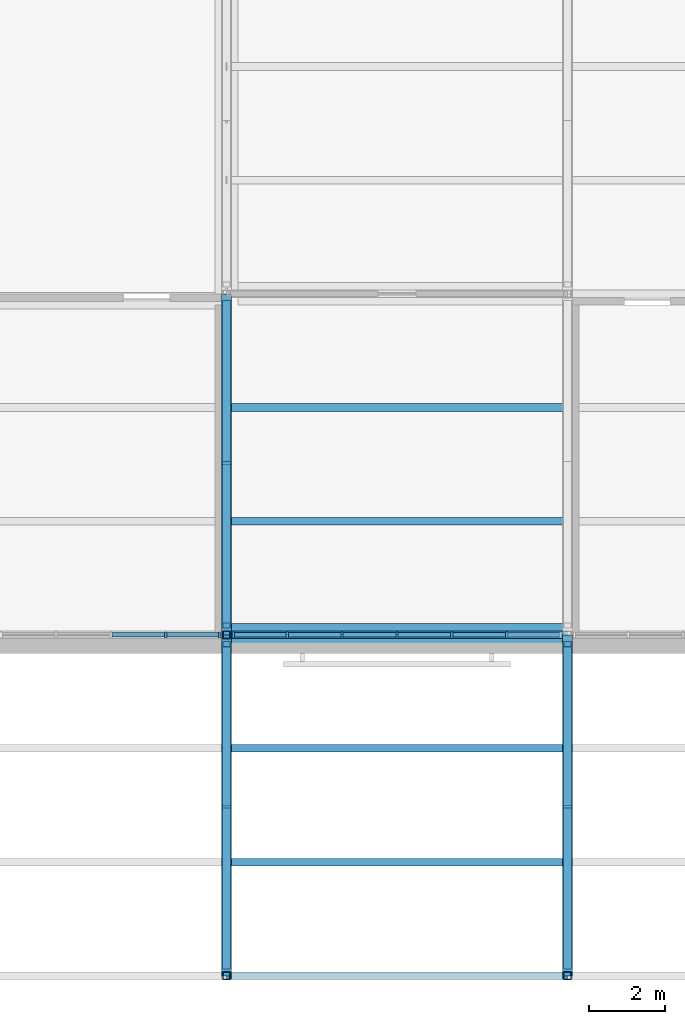
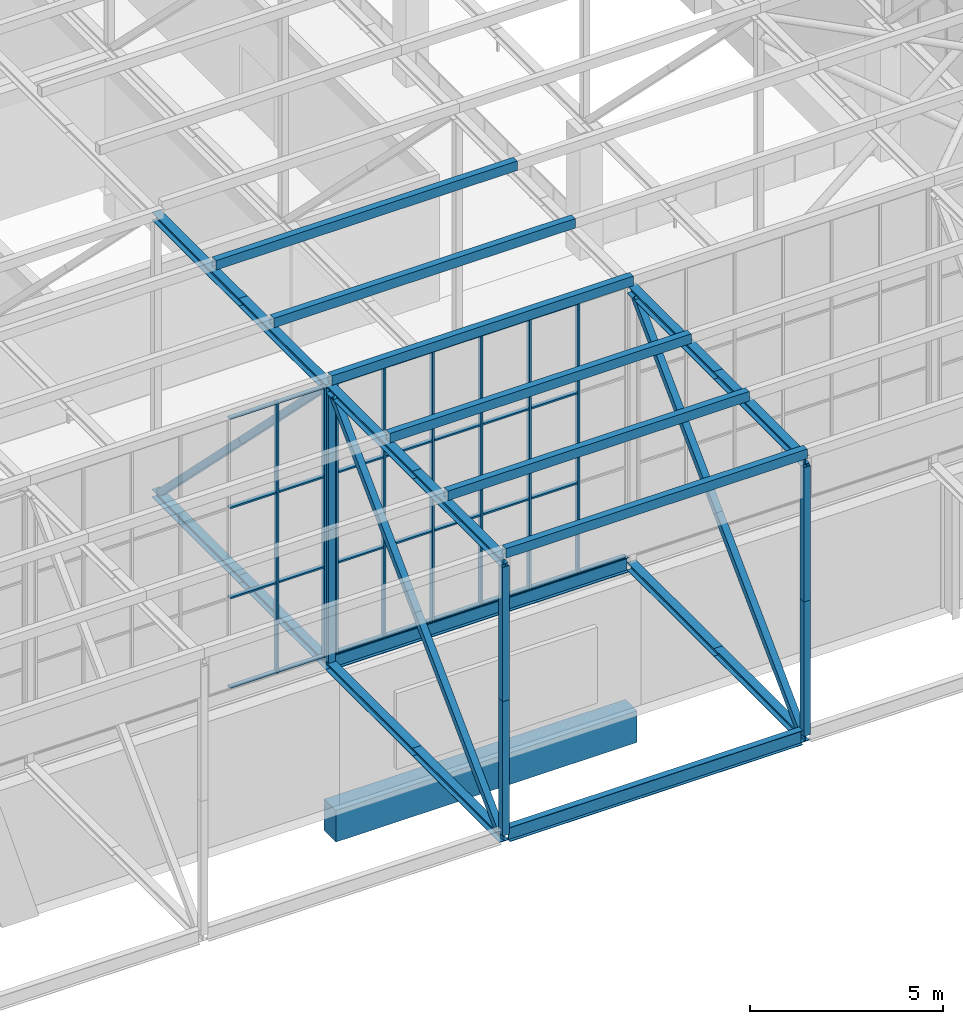
# One storey, part 82 of 646: 67 members, 3 beams, 2 elements without a shape of their own.
"""IFC4 building model written with IfcOpenShell, lengths in metres."""

from ifc_helpers import new_model, si_unit, direction, frame, origin, origin_2d, place, context, subcontext, project, spatial, rectangle, hollow_rectangle, i_section, extrude, material, material_profile, profile_set, type_object, element, aggregate, save


model = new_model("IFC4")

# Units and contexts
model_context = context("Model", 3, precision=1e-05, world=origin(), true_north=direction((0.0, 1.0)))
body_context = subcontext(model_context, "Body", "Model", "MODEL_VIEW")
ifc_project = project(units=[si_unit("LENGTHUNIT", "METRE"), si_unit("AREAUNIT", "SQUARE_METRE"), si_unit("VOLUMEUNIT", "CUBIC_METRE"), si_unit("PLANEANGLEUNIT", "RADIAN"), si_unit("MASSUNIT", "GRAM", prefix="KILO")], contexts=[model_context])

# Site, building, storey
site_placement = place(None, origin())
site = spatial("IfcSite", under=ifc_project, at=site_placement, CompositionType="ELEMENT")
building_placement = place(site_placement, origin())
building = spatial("IfcBuilding", under=site, at=building_placement, Name="Silverbay Arena", CompositionType="ELEMENT")
storey_placement = place(building_placement, frame((0.0, 0.0, 33.5)))
storey = spatial("IfcBuildingStorey", under=building, at=storey_placement, Name="L05", CompositionType="ELEMENT", Elevation=33.5)

# Members
ifc_material_1 = material(Name="Steel S355", Category="steel")
ifc_material_profile_1 = material_profile(ifc_material_1, i_section(OverallWidth=0.254638671875, OverallDepth=0.254150390625, WebThickness=0.008544921875, FlangeThickness=0.01416015625, at=origin_2d()), Name="UC 254x254x73")
ifc_profile_set_1 = profile_set([ifc_material_profile_1], Name="Steel S355")
member_type_1 = type_object("IfcMemberType", Name="Long-span bottom chord UC 254x254x73", PredefinedType="CHORD", material=ifc_profile_set_1)
for number, where, z_axis, x_axis, name in (
    (1, (180.0, 9.0, 4.126953125), (0.0, 1.0, 0.0), (-1.0, 0.0, 0.0), "ROOF TRUSS 21 bottom chord 01a"),
    (2, (180.0, 13.5, 4.126953125), (0.0, 1.0, 0.0), (-1.0, 0.0, 0.0), "ROOF TRUSS 21 bottom chord 01b"),
    (3, (180.0, 18.0, 4.126953125), (0.0, 1.0, 0.0), (-1.0, 0.0, 0.0), "ROOF TRUSS 21 bottom chord 02a"),
    (4, (180.0, 22.5, 4.126953125), (0.0, 1.0, 0.0), (-1.0, 0.0, 0.0), "ROOF TRUSS 21 bottom chord 02b"),
):
    element("IfcMember", number, at=place(storey_placement, frame(where, z_axis=z_axis, x_axis=x_axis)), inside=storey, type_object=member_type_1, Name=name, PredefinedType="CHORD", context=body_context, shape_type="SweptSolid", body=[
        extrude(i_section(OverallWidth=0.254638671875, OverallDepth=0.254150390625, WebThickness=0.008544921875, FlangeThickness=0.01416015625, at=origin_2d()), origin(), (0.0, 0.0, 1.0), 4.5),
    ])
ifc_material_2 = material(Name="Steel S355", Category="steel")
ifc_material_profile_2 = material_profile(ifc_material_2, i_section(OverallWidth=0.254638671875, OverallDepth=0.254150390625, WebThickness=0.008544921875, FlangeThickness=0.01416015625, at=origin_2d()), Name="UC 254x254x73")
ifc_profile_set_2 = profile_set([ifc_material_profile_2], Name="Steel S355")
member_type_2 = type_object("IfcMemberType", Name="Long-span top chord UC 254x254x73", PredefinedType="CHORD", material=ifc_profile_set_2)
for number, where, z_axis, x_axis, name in (
    (5, (180.0, 9.0, 12.873046875), (0.0, 1.0, 0.0), (-1.0, 0.0, 0.0), "ROOF TRUSS 21 top chord 01a"),
    (6, (180.0, 13.5, 12.873046875), (0.0, 1.0, 0.0), (-1.0, 0.0, 0.0), "ROOF TRUSS 21 top chord 01b"),
    (7, (180.0, 18.0, 12.873046875), (0.0, 1.0, 0.0), (-1.0, 0.0, 0.0), "ROOF TRUSS 21 top chord 02a"),
    (8, (180.0, 22.5, 12.873046875), (0.0, 1.0, 0.0), (-1.0, 0.0, 0.0), "ROOF TRUSS 21 top chord 02b"),
):
    element("IfcMember", number, at=place(storey_placement, frame(where, z_axis=z_axis, x_axis=x_axis)), inside=storey, type_object=member_type_2, Name=name, PredefinedType="CHORD", context=body_context, shape_type="SweptSolid", body=[
        extrude(i_section(OverallWidth=0.254638671875, OverallDepth=0.254150390625, WebThickness=0.008544921875, FlangeThickness=0.01416015625, at=origin_2d()), origin(), (0.0, 0.0, 1.0), 4.5),
    ])
ifc_material_3 = material(Name="Steel S355", Category="steel")
ifc_material_profile_3 = material_profile(ifc_material_3, hollow_rectangle(XDim=0.199951171875, YDim=0.199951171875, WallThickness=0.008056640625, at=origin_2d()), Name="SHS 200x200x8")
ifc_profile_set_3 = profile_set([ifc_material_profile_3], Name="Steel S355")
member_type_3 = type_object("IfcMemberType", Name="Long-span truss diagonal SHS 200x200x8", PredefinedType="BRACE", material=ifc_profile_set_3)
for number, where, z_axis, x_axis, name in (
    (9, (180.0, 17.75439453125, 12.745849609375), (0.0, -0.70781724692, -0.706395600894), (1.0, 0.0, 0.0), "ROOF TRUSS 21 diagonal 01a"),
    (10, (180.0, 13.5, 8.5), (0.0, -0.70781724692, -0.706395600894), (1.0, 0.0, 0.0), "ROOF TRUSS 21 diagonal 01b"),
    (11, (180.0, 18.24560546875, 12.745849609375), (0.0, 0.70781724692, -0.706395600894), (-1.0, 0.0, 0.0), "ROOF TRUSS 21 diagonal 02a"),
    (12, (180.0, 22.5, 8.5), (0.0, 0.70781724692, -0.706395600894), (-1.0, 0.0, 0.0), "ROOF TRUSS 21 diagonal 02b"),
):
    element("IfcMember", number, at=place(storey_placement, frame(where, z_axis=z_axis, x_axis=x_axis)), inside=storey, type_object=member_type_3, Name=name, PredefinedType="BRACE", context=body_context, shape_type="SweptSolid", body=[
        extrude(hollow_rectangle(XDim=0.199951171875, YDim=0.199951171875, WallThickness=0.008056640625, at=origin_2d()), origin(), (0.0, 0.0, 1.0), 6.010498046875),
    ])
ifc_material_4 = material(Name="Steel S355", Category="steel")
ifc_material_profile_4 = material_profile(ifc_material_4, hollow_rectangle(XDim=0.199951171875, YDim=0.199951171875, WallThickness=0.008056640625, at=origin_2d()), Name="SHS 200x200x8")
ifc_profile_set_4 = profile_set([ifc_material_profile_4], Name="Steel S355")
member_type_4 = type_object("IfcMemberType", Name="Long-span truss vertical SHS 200x200x8", PredefinedType="STRUT", material=ifc_profile_set_4)
for number, where, z_axis, x_axis, name in (
    (13, (180.0, 9.0, 4.254150390625), (0.0, 0.0, 1.0), (1.0, 0.0, 0.0), "ROOF TRUSS 21 vertical 01a"),
    (14, (180.0, 9.0, 8.5), (0.0, 0.0, 1.0), (1.0, 0.0, 0.0), "ROOF TRUSS 21 vertical 01b"),
    (15, (180.0, 18.0, 4.254150390625), (0.0, 0.0, 1.0), (1.0, 0.0, 0.0), "ROOF TRUSS 21 vertical 02a"),
    (16, (180.0, 18.0, 8.5), (0.0, 0.0, 1.0), (1.0, 0.0, 0.0), "ROOF TRUSS 21 vertical 02b"),
):
    element("IfcMember", number, at=place(storey_placement, frame(where, z_axis=z_axis, x_axis=x_axis)), inside=storey, type_object=member_type_4, Name=name, PredefinedType="STRUT", context=body_context, shape_type="SweptSolid", body=[
        extrude(hollow_rectangle(XDim=0.199951171875, YDim=0.199951171875, WallThickness=0.008056640625, at=origin_2d()), origin(), (0.0, 0.0, 1.0), 4.245849609375),
    ])
ifc_material_5 = material(Name="Steel S355", Category="steel")
ifc_material_profile_5 = material_profile(ifc_material_5, i_section(OverallWidth=0.254638671875, OverallDepth=0.254150390625, WebThickness=0.008544921875, FlangeThickness=0.01416015625, at=origin_2d()), Name="UC 254x254x73")
ifc_profile_set_5 = profile_set([ifc_material_profile_5], Name="Steel S355")
member_type_5 = type_object("IfcMemberType", Name="Medium-span bottom chord UC 254x254x73", PredefinedType="CHORD", material=ifc_profile_set_5)
for number, where, z_axis, x_axis, name in (
    (17, (189.0, 9.0, 4.126953125), (0.0, 1.0, 0.0), (-1.0, 0.0, 0.0), "ROOF TRUSS 22 bottom chord 01a"),
    (18, (189.0, 13.5, 4.126953125), (0.0, 1.0, 0.0), (-1.0, 0.0, 0.0), "ROOF TRUSS 22 bottom chord 01b"),
):
    element("IfcMember", number, at=place(storey_placement, frame(where, z_axis=z_axis, x_axis=x_axis)), inside=storey, type_object=member_type_5, Name=name, PredefinedType="CHORD", context=body_context, shape_type="SweptSolid", body=[
        extrude(i_section(OverallWidth=0.254638671875, OverallDepth=0.254150390625, WebThickness=0.008544921875, FlangeThickness=0.01416015625, at=origin_2d()), origin(), (0.0, 0.0, 1.0), 4.5),
    ])
ifc_material_6 = material(Name="Steel S355", Category="steel")
ifc_material_profile_6 = material_profile(ifc_material_6, i_section(OverallWidth=0.254638671875, OverallDepth=0.254150390625, WebThickness=0.008544921875, FlangeThickness=0.01416015625, at=origin_2d()), Name="UC 254x254x73")
ifc_profile_set_6 = profile_set([ifc_material_profile_6], Name="Steel S355")
member_type_6 = type_object("IfcMemberType", Name="Medium-span top chord UC 254x254x73", PredefinedType="CHORD", material=ifc_profile_set_6)
for number, where, z_axis, x_axis, name in (
    (19, (189.0, 9.0, 12.873046875), (0.0, 1.0, 0.0), (-1.0, 0.0, 0.0), "ROOF TRUSS 22 top chord 01a"),
    (20, (189.0, 13.5, 12.873046875), (0.0, 1.0, 0.0), (-1.0, 0.0, 0.0), "ROOF TRUSS 22 top chord 01b"),
):
    element("IfcMember", number, at=place(storey_placement, frame(where, z_axis=z_axis, x_axis=x_axis)), inside=storey, type_object=member_type_6, Name=name, PredefinedType="CHORD", context=body_context, shape_type="SweptSolid", body=[
        extrude(i_section(OverallWidth=0.254638671875, OverallDepth=0.254150390625, WebThickness=0.008544921875, FlangeThickness=0.01416015625, at=origin_2d()), origin(), (0.0, 0.0, 1.0), 4.5),
    ])
ifc_material_7 = material(Name="Steel S355", Category="steel")
ifc_material_profile_7 = material_profile(ifc_material_7, hollow_rectangle(XDim=0.199951171875, YDim=0.199951171875, WallThickness=0.008056640625, at=origin_2d()), Name="SHS 200x200x8")
ifc_profile_set_7 = profile_set([ifc_material_profile_7], Name="Steel S355")
member_type_7 = type_object("IfcMemberType", Name="Medium-span truss diagonal SHS 200x200x8", PredefinedType="BRACE", material=ifc_profile_set_7)
for number, where, z_axis, x_axis, name in (
    (21, (189.0, 17.75439453125, 12.745849609375), (0.0, -0.70781724692, -0.706395600894), (1.0, 0.0, 0.0), "ROOF TRUSS 22 diagonal 01a"),
    (22, (189.0, 13.5, 8.5), (0.0, -0.70781724692, -0.706395600894), (1.0, 0.0, 0.0), "ROOF TRUSS 22 diagonal 01b"),
):
    element("IfcMember", number, at=place(storey_placement, frame(where, z_axis=z_axis, x_axis=x_axis)), inside=storey, type_object=member_type_7, Name=name, PredefinedType="BRACE", context=body_context, shape_type="SweptSolid", body=[
        extrude(hollow_rectangle(XDim=0.199951171875, YDim=0.199951171875, WallThickness=0.008056640625, at=origin_2d()), origin(), (0.0, 0.0, 1.0), 6.010498046875),
    ])
ifc_material_8 = material(Name="Steel S355", Category="steel")
ifc_material_profile_8 = material_profile(ifc_material_8, hollow_rectangle(XDim=0.199951171875, YDim=0.199951171875, WallThickness=0.008056640625, at=origin_2d()), Name="SHS 200x200x8")
ifc_profile_set_8 = profile_set([ifc_material_profile_8], Name="Steel S355")
member_type_8 = type_object("IfcMemberType", Name="Medium-span truss vertical SHS 200x200x8", PredefinedType="STRUT", material=ifc_profile_set_8)
for number, where, z_axis, x_axis, name in (
    (23, (189.0, 9.0, 4.254150390625), (0.0, 0.0, 1.0), (1.0, 0.0, 0.0), "ROOF TRUSS 22 vertical 01a"),
    (24, (189.0, 9.0, 8.5), (0.0, 0.0, 1.0), (1.0, 0.0, 0.0), "ROOF TRUSS 22 vertical 01b"),
):
    element("IfcMember", number, at=place(storey_placement, frame(where, z_axis=z_axis, x_axis=x_axis)), inside=storey, type_object=member_type_8, Name=name, PredefinedType="STRUT", context=body_context, shape_type="SweptSolid", body=[
        extrude(hollow_rectangle(XDim=0.199951171875, YDim=0.199951171875, WallThickness=0.008056640625, at=origin_2d()), origin(), (0.0, 0.0, 1.0), 4.245849609375),
    ])

# Curtain wall, members
ifc_material_9 = material(Name="Aluminium framed glazing", Category="aluminium")
curtain_wall_type = type_object("IfcCurtainWallType", Name="Curtain wall clerestory 8693 x 8540", PredefinedType="NOTDEFINED", material=ifc_material_9)
curtain_wall_1_placement = place(storey_placement, origin())
curtain_wall_1 = element("IfcCurtainWall", 25, at=curtain_wall_1_placement, inside=storey, type_object=curtain_wall_type, Name="ROOF CLERESTORY CURTAIN WALL south bay 14", PredefinedType="NOTDEFINED")
ifc_material_10 = material(Name="Aluminium", Category="aluminium")
ifc_material_profile_9 = material_profile(ifc_material_10, rectangle(XDim=0.159912109375, YDim=0.06005859375, at=origin_2d()), Name="Mullion 60 x 160")
ifc_profile_set_9 = profile_set([ifc_material_profile_9], Name="Aluminium")
member_type_9 = type_object("IfcMemberType", Name="Mullion 60 x 160", PredefinedType="MULLION", material=ifc_profile_set_9)
member_1_placement = place(storey_placement, frame((178.3974609375, 18.0, 4.4599609375), z_axis=(0.0, 0.0, 1.0), x_axis=(0.0, 1.0, 0.0)))
member_1 = element("IfcMember", 26, at=member_1_placement, type_object=member_type_9, Name="CW55 mullion 6", PredefinedType="MULLION", context=body_context, shape_type="SweptSolid", body=[
    extrude(rectangle(XDim=0.159912109375, YDim=0.06005859375, at=origin_2d()), origin(), (0.0, 0.0, 1.0), 8.5400390625),
])
member_2_placement = place(storey_placement, frame((179.81640625, 18.0, 4.4599609375), z_axis=(0.0, 0.0, 1.0), x_axis=(0.0, 1.0, 0.0)))
member_2 = element("IfcMember", 27, at=member_2_placement, type_object=member_type_9, Name="CW55 mullion 7", PredefinedType="MULLION", context=body_context, shape_type="SweptSolid", body=[
    extrude(rectangle(XDim=0.159912109375, YDim=0.06005859375, at=origin_2d()), origin(), (0.0, 0.0, 1.0), 8.5400390625),
])

curtain_wall_2_placement = place(storey_placement, origin())
curtain_wall_2 = element("IfcCurtainWall", 28, at=curtain_wall_2_placement, inside=storey, type_object=curtain_wall_type, Name="ROOF CLERESTORY CURTAIN WALL south bay 15", PredefinedType="NOTDEFINED")
member_3_placement = place(storey_placement, frame((180.18359375, 18.0, 4.4599609375), z_axis=(0.0, 0.0, 1.0), x_axis=(0.0, 1.0, 0.0)))
member_3 = element("IfcMember", 29, at=member_3_placement, type_object=member_type_9, Name="CW55 mullion 1", PredefinedType="MULLION", context=body_context, shape_type="SweptSolid", body=[
    extrude(rectangle(XDim=0.159912109375, YDim=0.06005859375, at=origin_2d()), origin(), (0.0, 0.0, 1.0), 8.5400390625),
])
member_4_placement = place(storey_placement, frame((181.6025390625, 18.0, 4.4599609375), z_axis=(0.0, 0.0, 1.0), x_axis=(0.0, 1.0, 0.0)))
member_4 = element("IfcMember", 30, at=member_4_placement, type_object=member_type_9, Name="CW55 mullion 2", PredefinedType="MULLION", context=body_context, shape_type="SweptSolid", body=[
    extrude(rectangle(XDim=0.159912109375, YDim=0.06005859375, at=origin_2d()), origin(), (0.0, 0.0, 1.0), 8.5400390625),
])
member_5_placement = place(storey_placement, frame((183.05126953125, 18.0, 4.4599609375), z_axis=(0.0, 0.0, 1.0), x_axis=(0.0, 1.0, 0.0)))
member_5 = element("IfcMember", 31, at=member_5_placement, type_object=member_type_9, Name="CW55 mullion 3", PredefinedType="MULLION", context=body_context, shape_type="SweptSolid", body=[
    extrude(rectangle(XDim=0.159912109375, YDim=0.06005859375, at=origin_2d()), origin(), (0.0, 0.0, 1.0), 8.5400390625),
])
member_6_placement = place(storey_placement, frame((184.5, 18.0, 4.4599609375), z_axis=(0.0, 0.0, 1.0), x_axis=(0.0, 1.0, 0.0)))
member_6 = element("IfcMember", 32, at=member_6_placement, type_object=member_type_9, Name="CW55 mullion 4", PredefinedType="MULLION", context=body_context, shape_type="SweptSolid", body=[
    extrude(rectangle(XDim=0.159912109375, YDim=0.06005859375, at=origin_2d()), origin(), (0.0, 0.0, 1.0), 8.5400390625),
])
member_7_placement = place(storey_placement, frame((185.94873046875, 18.0, 4.4599609375), z_axis=(0.0, 0.0, 1.0), x_axis=(0.0, 1.0, 0.0)))
member_7 = element("IfcMember", 33, at=member_7_placement, type_object=member_type_9, Name="CW55 mullion 5", PredefinedType="MULLION", context=body_context, shape_type="SweptSolid", body=[
    extrude(rectangle(XDim=0.159912109375, YDim=0.06005859375, at=origin_2d()), origin(), (0.0, 0.0, 1.0), 8.5400390625),
])
member_8_placement = place(storey_placement, frame((187.3974609375, 18.0, 4.4599609375), z_axis=(0.0, 0.0, 1.0), x_axis=(0.0, 1.0, 0.0)))
member_8 = element("IfcMember", 34, at=member_8_placement, type_object=member_type_9, Name="CW55 mullion 6", PredefinedType="MULLION", context=body_context, shape_type="SweptSolid", body=[
    extrude(rectangle(XDim=0.159912109375, YDim=0.06005859375, at=origin_2d()), origin(), (0.0, 0.0, 1.0), 8.5400390625),
])

# Members
ifc_material_11 = material(Name="Steel S355", Category="steel")
ifc_material_profile_10 = material_profile(ifc_material_11, hollow_rectangle(XDim=0.199951171875, YDim=0.300048828125, WallThickness=0.00634765625, at=origin_2d()), Name="RHS 300x200x6.3")
ifc_profile_set_10 = profile_set([ifc_material_profile_10], Name="Steel S355")
member_type_10 = type_object("IfcMemberType", Name="Purlin RHS 300x200x6.3", PredefinedType="PURLIN", material=ifc_profile_set_10)
member_9_placement = place(storey_placement, frame((180.0, 24.0, 13.14990234375), z_axis=(1.0, 0.0, 0.0), x_axis=(0.0, 1.0, 0.0)))
element("IfcMember", 35, at=member_9_placement, inside=storey, type_object=member_type_10, Name="ROOF PURLIN 21-22 line 06", PredefinedType="PURLIN", context=body_context, shape_type="SweptSolid", body=[
    extrude(hollow_rectangle(XDim=0.199951171875, YDim=0.300048828125, WallThickness=0.00634765625, at=origin_2d()), origin(), (0.0, 0.0, 1.0), 9.0),
])
ifc_material_12 = material(Name="Steel S355", Category="steel")
ifc_material_profile_11 = material_profile(ifc_material_12, hollow_rectangle(XDim=0.199951171875, YDim=0.300048828125, WallThickness=0.008056640625, at=origin_2d()), Name="RHS 300x200x8")
ifc_profile_set_11 = profile_set([ifc_material_profile_11], Name="Steel S355")
member_type_11 = type_object("IfcMemberType", Name="Purlin RHS 300x200x8", PredefinedType="PURLIN", material=ifc_profile_set_11)
for number, where, z_axis, x_axis, name in (
    (36, (180.0, 9.0, 13.14990234375), (1.0, 0.0, 0.0), (0.0, 1.0, 0.0), "ROOF PURLIN 21-22 line 01"),
    (37, (180.0, 12.0, 13.14990234375), (1.0, 0.0, 0.0), (0.0, 1.0, 0.0), "ROOF PURLIN 21-22 line 02"),
    (38, (180.0, 15.0, 13.14990234375), (1.0, 0.0, 0.0), (0.0, 1.0, 0.0), "ROOF PURLIN 21-22 line 03"),
    (39, (180.0, 18.0, 13.14990234375), (1.0, 0.0, 0.0), (0.0, 1.0, 0.0), "ROOF PURLIN 21-22 line 04"),
    (40, (180.0, 21.0, 13.14990234375), (1.0, 0.0, 0.0), (0.0, 1.0, 0.0), "ROOF PURLIN 21-22 line 05"),
):
    element("IfcMember", number, at=place(storey_placement, frame(where, z_axis=z_axis, x_axis=x_axis)), inside=storey, type_object=member_type_11, Name=name, PredefinedType="PURLIN", context=body_context, shape_type="SweptSolid", body=[
        extrude(hollow_rectangle(XDim=0.199951171875, YDim=0.300048828125, WallThickness=0.008056640625, at=origin_2d()), origin(), (0.0, 0.0, 1.0), 9.0),
    ])

# Beams
ifc_material_13 = material(Name="Concrete Grade C45", Category="concrete")
ifc_material_profile_12 = material_profile(ifc_material_13, rectangle(XDim=0.60009765625, YDim=1.0, at=origin_2d()), Name="RC 600x1000")
ifc_profile_set_12 = profile_set([ifc_material_profile_12], Name="Concrete Grade C45")
beam_type_1 = type_object("IfcBeamType", Name="RC beam 600x1000", PredefinedType="BEAM", material=ifc_profile_set_12)
beam_1_placement = place(storey_placement, frame((180.0, 18.0, -0.800048828125), z_axis=(1.0, 0.0, 0.0), x_axis=(0.0, 1.0, 0.0)))
element("IfcBeam", 41, at=beam_1_placement, inside=storey, type_object=beam_type_1, Name="Floor beam L05 005", PredefinedType="BEAM", context=body_context, shape_type="SweptSolid", body=[
    extrude(rectangle(XDim=0.60009765625, YDim=1.0, at=origin_2d()), origin(), (0.0, 0.0, 1.0), 9.0),
])
ifc_material_14 = material(Name="Steel S355", Category="steel")
ifc_material_profile_13 = material_profile(ifc_material_14, i_section(OverallWidth=0.18994140625, OverallDepth=0.453369140625, WebThickness=0.008544921875, FlangeThickness=0.0126953125, at=origin_2d()), Name="UB 457x191x67")
ifc_profile_set_13 = profile_set([ifc_material_profile_13], Name="Steel S355")
beam_type_2 = type_object("IfcBeamType", Name="Ring beam UB 457x191x67", PredefinedType="BEAM", material=ifc_profile_set_13)
beam_2_placement = place(storey_placement, frame((180.127197265625, 9.0, 4.226806640625), z_axis=(1.0, 0.0, 0.0), x_axis=(0.0, 1.0, 0.0)))
element("IfcBeam", 42, at=beam_2_placement, inside=storey, type_object=beam_type_2, Name="RING BEAM south edge 21-22", PredefinedType="BEAM", context=body_context, shape_type="SweptSolid", body=[
    extrude(i_section(OverallWidth=0.18994140625, OverallDepth=0.453369140625, WebThickness=0.008544921875, FlangeThickness=0.0126953125, at=origin_2d()), origin(), (0.0, 0.0, 1.0), 8.74560546875),
])
ifc_material_15 = material(Name="Steel S355", Category="steel")
ifc_material_profile_14 = material_profile(ifc_material_15, i_section(OverallWidth=0.19140625, OverallDepth=0.4599609375, WebThickness=0.010009765625, FlangeThickness=0.01611328125, at=origin_2d()), Name="UB 457x191x82")
ifc_profile_set_14 = profile_set([ifc_material_profile_14], Name="Steel S355")
beam_type_3 = type_object("IfcBeamType", Name="Ring beam UB 457x191x82", PredefinedType="BEAM", material=ifc_profile_set_14)
beam_3_placement = place(storey_placement, frame((180.127197265625, 18.0, 4.22998046875), z_axis=(1.0, 0.0, 0.0), x_axis=(0.0, 1.0, 0.0)))
element("IfcBeam", 43, at=beam_3_placement, inside=storey, type_object=beam_type_3, Name="RING BEAM south facade 21-22", PredefinedType="BEAM", context=body_context, shape_type="SweptSolid", body=[
    extrude(i_section(OverallWidth=0.19140625, OverallDepth=0.4599609375, WebThickness=0.010009765625, FlangeThickness=0.01611328125, at=origin_2d()), origin(), (0.0, 0.0, 1.0), 8.74560546875),
])

# Member
ifc_material_16 = material(Name="Aluminium", Category="aluminium")
ifc_material_profile_15 = material_profile(ifc_material_16, rectangle(XDim=0.1201171875, YDim=0.050048828125, at=origin_2d()), Name="Transom 50 x 120")
ifc_profile_set_15 = profile_set([ifc_material_profile_15], Name="Aluminium")
member_type_12 = type_object("IfcMemberType", Name="Transom 50 x 120", PredefinedType="USERDEFINED", material=ifc_profile_set_15)
member_10_placement = place(storey_placement, frame((176.978759765625, 18.0, 4.485107421875), z_axis=(1.0, 0.0, 0.0), x_axis=(0.0, 1.0, 0.0)))
member_10 = element("IfcMember", 44, at=member_10_placement, type_object=member_type_12, Name="CW55 transom 5.1", ObjectType="TRANSOM", PredefinedType="USERDEFINED", context=body_context, shape_type="SweptSolid", body=[
    extrude(rectangle(XDim=0.1201171875, YDim=0.050048828125, at=origin_2d()), origin(), (0.0, 0.0, 1.0), 1.388671875),
])

member_11_placement = place(storey_placement, frame((176.978759765625, 18.0, 7.306640625), z_axis=(1.0, 0.0, 0.0), x_axis=(0.0, 1.0, 0.0)))
member_11 = element("IfcMember", 45, at=member_11_placement, type_object=member_type_12, Name="CW55 transom 5.2", ObjectType="TRANSOM", PredefinedType="USERDEFINED", context=body_context, shape_type="SweptSolid", body=[
    extrude(rectangle(XDim=0.1201171875, YDim=0.050048828125, at=origin_2d()), origin(), (0.0, 0.0, 1.0), 1.388671875),
])

member_12_placement = place(storey_placement, frame((176.978759765625, 18.0, 10.1533203125), z_axis=(1.0, 0.0, 0.0), x_axis=(0.0, 1.0, 0.0)))
member_12 = element("IfcMember", 46, at=member_12_placement, type_object=member_type_12, Name="CW55 transom 5.3", ObjectType="TRANSOM", PredefinedType="USERDEFINED", context=body_context, shape_type="SweptSolid", body=[
    extrude(rectangle(XDim=0.1201171875, YDim=0.050048828125, at=origin_2d()), origin(), (0.0, 0.0, 1.0), 1.388671875),
])

member_13_placement = place(storey_placement, frame((176.978759765625, 18.0, 12.97509765625), z_axis=(1.0, 0.0, 0.0), x_axis=(0.0, 1.0, 0.0)))
member_13 = element("IfcMember", 47, at=member_13_placement, type_object=member_type_12, Name="CW55 transom 5.4", ObjectType="TRANSOM", PredefinedType="USERDEFINED", context=body_context, shape_type="SweptSolid", body=[
    extrude(rectangle(XDim=0.1201171875, YDim=0.050048828125, at=origin_2d()), origin(), (0.0, 0.0, 1.0), 1.388671875),
])

member_14_placement = place(storey_placement, frame((178.427490234375, 18.0, 4.485107421875), z_axis=(1.0, 0.0, 0.0), x_axis=(0.0, 1.0, 0.0)))
member_14 = element("IfcMember", 48, at=member_14_placement, type_object=member_type_12, Name="CW55 transom 6.1", ObjectType="TRANSOM", PredefinedType="USERDEFINED", context=body_context, shape_type="SweptSolid", body=[
    extrude(rectangle(XDim=0.1201171875, YDim=0.050048828125, at=origin_2d()), origin(), (0.0, 0.0, 1.0), 1.35888671875),
])

member_15_placement = place(storey_placement, frame((178.427490234375, 18.0, 7.306640625), z_axis=(1.0, 0.0, 0.0), x_axis=(0.0, 1.0, 0.0)))
member_15 = element("IfcMember", 49, at=member_15_placement, type_object=member_type_12, Name="CW55 transom 6.2", ObjectType="TRANSOM", PredefinedType="USERDEFINED", context=body_context, shape_type="SweptSolid", body=[
    extrude(rectangle(XDim=0.1201171875, YDim=0.050048828125, at=origin_2d()), origin(), (0.0, 0.0, 1.0), 1.35888671875),
])

member_16_placement = place(storey_placement, frame((178.427490234375, 18.0, 10.1533203125), z_axis=(1.0, 0.0, 0.0), x_axis=(0.0, 1.0, 0.0)))
member_16 = element("IfcMember", 50, at=member_16_placement, type_object=member_type_12, Name="CW55 transom 6.3", ObjectType="TRANSOM", PredefinedType="USERDEFINED", context=body_context, shape_type="SweptSolid", body=[
    extrude(rectangle(XDim=0.1201171875, YDim=0.050048828125, at=origin_2d()), origin(), (0.0, 0.0, 1.0), 1.35888671875),
])

member_17_placement = place(storey_placement, frame((178.427490234375, 18.0, 12.97509765625), z_axis=(1.0, 0.0, 0.0), x_axis=(0.0, 1.0, 0.0)))
member_17 = element("IfcMember", 51, at=member_17_placement, type_object=member_type_12, Name="CW55 transom 6.4", ObjectType="TRANSOM", PredefinedType="USERDEFINED", context=body_context, shape_type="SweptSolid", body=[
    extrude(rectangle(XDim=0.1201171875, YDim=0.050048828125, at=origin_2d()), origin(), (0.0, 0.0, 1.0), 1.35888671875),
])

aggregate(curtain_wall_1, [member_1, member_2, member_10, member_11, member_12, member_13, member_14, member_15, member_16, member_17])

member_18_placement = place(storey_placement, frame((180.213623046875, 18.0, 4.485107421875), z_axis=(1.0, 0.0, 0.0), x_axis=(0.0, 1.0, 0.0)))
member_18 = element("IfcMember", 52, at=member_18_placement, type_object=member_type_12, Name="CW55 transom 1.1", ObjectType="TRANSOM", PredefinedType="USERDEFINED", context=body_context, shape_type="SweptSolid", body=[
    extrude(rectangle(XDim=0.1201171875, YDim=0.050048828125, at=origin_2d()), origin(), (0.0, 0.0, 1.0), 1.35888671875),
])

member_19_placement = place(storey_placement, frame((180.213623046875, 18.0, 7.306640625), z_axis=(1.0, 0.0, 0.0), x_axis=(0.0, 1.0, 0.0)))
member_19 = element("IfcMember", 53, at=member_19_placement, type_object=member_type_12, Name="CW55 transom 1.2", ObjectType="TRANSOM", PredefinedType="USERDEFINED", context=body_context, shape_type="SweptSolid", body=[
    extrude(rectangle(XDim=0.1201171875, YDim=0.050048828125, at=origin_2d()), origin(), (0.0, 0.0, 1.0), 1.35888671875),
])

member_20_placement = place(storey_placement, frame((180.213623046875, 18.0, 10.1533203125), z_axis=(1.0, 0.0, 0.0), x_axis=(0.0, 1.0, 0.0)))
member_20 = element("IfcMember", 54, at=member_20_placement, type_object=member_type_12, Name="CW55 transom 1.3", ObjectType="TRANSOM", PredefinedType="USERDEFINED", context=body_context, shape_type="SweptSolid", body=[
    extrude(rectangle(XDim=0.1201171875, YDim=0.050048828125, at=origin_2d()), origin(), (0.0, 0.0, 1.0), 1.35888671875),
])

member_21_placement = place(storey_placement, frame((180.213623046875, 18.0, 12.97509765625), z_axis=(1.0, 0.0, 0.0), x_axis=(0.0, 1.0, 0.0)))
member_21 = element("IfcMember", 55, at=member_21_placement, type_object=member_type_12, Name="CW55 transom 1.4", ObjectType="TRANSOM", PredefinedType="USERDEFINED", context=body_context, shape_type="SweptSolid", body=[
    extrude(rectangle(XDim=0.1201171875, YDim=0.050048828125, at=origin_2d()), origin(), (0.0, 0.0, 1.0), 1.35888671875),
])

member_22_placement = place(storey_placement, frame((181.632568359375, 18.0, 4.485107421875), z_axis=(1.0, 0.0, 0.0), x_axis=(0.0, 1.0, 0.0)))
member_22 = element("IfcMember", 56, at=member_22_placement, type_object=member_type_12, Name="CW55 transom 2.1", ObjectType="TRANSOM", PredefinedType="USERDEFINED", context=body_context, shape_type="SweptSolid", body=[
    extrude(rectangle(XDim=0.1201171875, YDim=0.050048828125, at=origin_2d()), origin(), (0.0, 0.0, 1.0), 1.388671875),
])

member_23_placement = place(storey_placement, frame((181.632568359375, 18.0, 7.306640625), z_axis=(1.0, 0.0, 0.0), x_axis=(0.0, 1.0, 0.0)))
member_23 = element("IfcMember", 57, at=member_23_placement, type_object=member_type_12, Name="CW55 transom 2.2", ObjectType="TRANSOM", PredefinedType="USERDEFINED", context=body_context, shape_type="SweptSolid", body=[
    extrude(rectangle(XDim=0.1201171875, YDim=0.050048828125, at=origin_2d()), origin(), (0.0, 0.0, 1.0), 1.388671875),
])

member_24_placement = place(storey_placement, frame((181.632568359375, 18.0, 10.1533203125), z_axis=(1.0, 0.0, 0.0), x_axis=(0.0, 1.0, 0.0)))
member_24 = element("IfcMember", 58, at=member_24_placement, type_object=member_type_12, Name="CW55 transom 2.3", ObjectType="TRANSOM", PredefinedType="USERDEFINED", context=body_context, shape_type="SweptSolid", body=[
    extrude(rectangle(XDim=0.1201171875, YDim=0.050048828125, at=origin_2d()), origin(), (0.0, 0.0, 1.0), 1.388671875),
])

member_25_placement = place(storey_placement, frame((181.632568359375, 18.0, 12.97509765625), z_axis=(1.0, 0.0, 0.0), x_axis=(0.0, 1.0, 0.0)))
member_25 = element("IfcMember", 59, at=member_25_placement, type_object=member_type_12, Name="CW55 transom 2.4", ObjectType="TRANSOM", PredefinedType="USERDEFINED", context=body_context, shape_type="SweptSolid", body=[
    extrude(rectangle(XDim=0.1201171875, YDim=0.050048828125, at=origin_2d()), origin(), (0.0, 0.0, 1.0), 1.388671875),
])

member_26_placement = place(storey_placement, frame((183.081298828125, 18.0, 4.485107421875), z_axis=(1.0, 0.0, 0.0), x_axis=(0.0, 1.0, 0.0)))
member_26 = element("IfcMember", 60, at=member_26_placement, type_object=member_type_12, Name="CW55 transom 3.1", ObjectType="TRANSOM", PredefinedType="USERDEFINED", context=body_context, shape_type="SweptSolid", body=[
    extrude(rectangle(XDim=0.1201171875, YDim=0.050048828125, at=origin_2d()), origin(), (0.0, 0.0, 1.0), 1.388671875),
])

member_27_placement = place(storey_placement, frame((183.081298828125, 18.0, 7.306640625), z_axis=(1.0, 0.0, 0.0), x_axis=(0.0, 1.0, 0.0)))
member_27 = element("IfcMember", 61, at=member_27_placement, type_object=member_type_12, Name="CW55 transom 3.2", ObjectType="TRANSOM", PredefinedType="USERDEFINED", context=body_context, shape_type="SweptSolid", body=[
    extrude(rectangle(XDim=0.1201171875, YDim=0.050048828125, at=origin_2d()), origin(), (0.0, 0.0, 1.0), 1.388671875),
])

member_28_placement = place(storey_placement, frame((183.081298828125, 18.0, 10.1533203125), z_axis=(1.0, 0.0, 0.0), x_axis=(0.0, 1.0, 0.0)))
member_28 = element("IfcMember", 62, at=member_28_placement, type_object=member_type_12, Name="CW55 transom 3.3", ObjectType="TRANSOM", PredefinedType="USERDEFINED", context=body_context, shape_type="SweptSolid", body=[
    extrude(rectangle(XDim=0.1201171875, YDim=0.050048828125, at=origin_2d()), origin(), (0.0, 0.0, 1.0), 1.388671875),
])

member_29_placement = place(storey_placement, frame((183.081298828125, 18.0, 12.97509765625), z_axis=(1.0, 0.0, 0.0), x_axis=(0.0, 1.0, 0.0)))
member_29 = element("IfcMember", 63, at=member_29_placement, type_object=member_type_12, Name="CW55 transom 3.4", ObjectType="TRANSOM", PredefinedType="USERDEFINED", context=body_context, shape_type="SweptSolid", body=[
    extrude(rectangle(XDim=0.1201171875, YDim=0.050048828125, at=origin_2d()), origin(), (0.0, 0.0, 1.0), 1.388671875),
])

member_30_placement = place(storey_placement, frame((184.530029296875, 18.0, 4.485107421875), z_axis=(1.0, 0.0, 0.0), x_axis=(0.0, 1.0, 0.0)))
member_30 = element("IfcMember", 64, at=member_30_placement, type_object=member_type_12, Name="CW55 transom 4.1", ObjectType="TRANSOM", PredefinedType="USERDEFINED", context=body_context, shape_type="SweptSolid", body=[
    extrude(rectangle(XDim=0.1201171875, YDim=0.050048828125, at=origin_2d()), origin(), (0.0, 0.0, 1.0), 1.388671875),
])

member_31_placement = place(storey_placement, frame((184.530029296875, 18.0, 7.306640625), z_axis=(1.0, 0.0, 0.0), x_axis=(0.0, 1.0, 0.0)))
member_31 = element("IfcMember", 65, at=member_31_placement, type_object=member_type_12, Name="CW55 transom 4.2", ObjectType="TRANSOM", PredefinedType="USERDEFINED", context=body_context, shape_type="SweptSolid", body=[
    extrude(rectangle(XDim=0.1201171875, YDim=0.050048828125, at=origin_2d()), origin(), (0.0, 0.0, 1.0), 1.388671875),
])

member_32_placement = place(storey_placement, frame((184.530029296875, 18.0, 10.1533203125), z_axis=(1.0, 0.0, 0.0), x_axis=(0.0, 1.0, 0.0)))
member_32 = element("IfcMember", 66, at=member_32_placement, type_object=member_type_12, Name="CW55 transom 4.3", ObjectType="TRANSOM", PredefinedType="USERDEFINED", context=body_context, shape_type="SweptSolid", body=[
    extrude(rectangle(XDim=0.1201171875, YDim=0.050048828125, at=origin_2d()), origin(), (0.0, 0.0, 1.0), 1.388671875),
])

member_33_placement = place(storey_placement, frame((184.530029296875, 18.0, 12.97509765625), z_axis=(1.0, 0.0, 0.0), x_axis=(0.0, 1.0, 0.0)))
member_33 = element("IfcMember", 67, at=member_33_placement, type_object=member_type_12, Name="CW55 transom 4.4", ObjectType="TRANSOM", PredefinedType="USERDEFINED", context=body_context, shape_type="SweptSolid", body=[
    extrude(rectangle(XDim=0.1201171875, YDim=0.050048828125, at=origin_2d()), origin(), (0.0, 0.0, 1.0), 1.388671875),
])

member_34_placement = place(storey_placement, frame((185.978759765625, 18.0, 4.485107421875), z_axis=(1.0, 0.0, 0.0), x_axis=(0.0, 1.0, 0.0)))
member_34 = element("IfcMember", 68, at=member_34_placement, type_object=member_type_12, Name="CW55 transom 5.1", ObjectType="TRANSOM", PredefinedType="USERDEFINED", context=body_context, shape_type="SweptSolid", body=[
    extrude(rectangle(XDim=0.1201171875, YDim=0.050048828125, at=origin_2d()), origin(), (0.0, 0.0, 1.0), 1.388671875),
])

member_35_placement = place(storey_placement, frame((185.978759765625, 18.0, 7.306640625), z_axis=(1.0, 0.0, 0.0), x_axis=(0.0, 1.0, 0.0)))
member_35 = element("IfcMember", 69, at=member_35_placement, type_object=member_type_12, Name="CW55 transom 5.2", ObjectType="TRANSOM", PredefinedType="USERDEFINED", context=body_context, shape_type="SweptSolid", body=[
    extrude(rectangle(XDim=0.1201171875, YDim=0.050048828125, at=origin_2d()), origin(), (0.0, 0.0, 1.0), 1.388671875),
])

member_36_placement = place(storey_placement, frame((185.978759765625, 18.0, 10.1533203125), z_axis=(1.0, 0.0, 0.0), x_axis=(0.0, 1.0, 0.0)))
member_36 = element("IfcMember", 70, at=member_36_placement, type_object=member_type_12, Name="CW55 transom 5.3", ObjectType="TRANSOM", PredefinedType="USERDEFINED", context=body_context, shape_type="SweptSolid", body=[
    extrude(rectangle(XDim=0.1201171875, YDim=0.050048828125, at=origin_2d()), origin(), (0.0, 0.0, 1.0), 1.388671875),
])

member_37_placement = place(storey_placement, frame((185.978759765625, 18.0, 12.97509765625), z_axis=(1.0, 0.0, 0.0), x_axis=(0.0, 1.0, 0.0)))
member_37 = element("IfcMember", 71, at=member_37_placement, type_object=member_type_12, Name="CW55 transom 5.4", ObjectType="TRANSOM", PredefinedType="USERDEFINED", context=body_context, shape_type="SweptSolid", body=[
    extrude(rectangle(XDim=0.1201171875, YDim=0.050048828125, at=origin_2d()), origin(), (0.0, 0.0, 1.0), 1.388671875),
])

member_38_placement = place(storey_placement, frame((187.427490234375, 18.0, 4.485107421875), z_axis=(1.0, 0.0, 0.0), x_axis=(0.0, 1.0, 0.0)))
member_38 = element("IfcMember", 72, at=member_38_placement, type_object=member_type_12, Name="CW55 transom 6.1", ObjectType="TRANSOM", PredefinedType="USERDEFINED", context=body_context, shape_type="SweptSolid", body=[
    extrude(rectangle(XDim=0.1201171875, YDim=0.050048828125, at=origin_2d()), origin(), (0.0, 0.0, 1.0), 1.35888671875),
])

aggregate(curtain_wall_2, [member_3, member_4, member_5, member_6, member_7, member_8, member_18, member_19, member_20, member_21, member_22, member_23, member_24, member_25, member_26, member_27, member_28, member_29, member_30, member_31, member_32, member_33, member_34, member_35, member_36, member_37, member_38])

save(model, "model.ifc")
